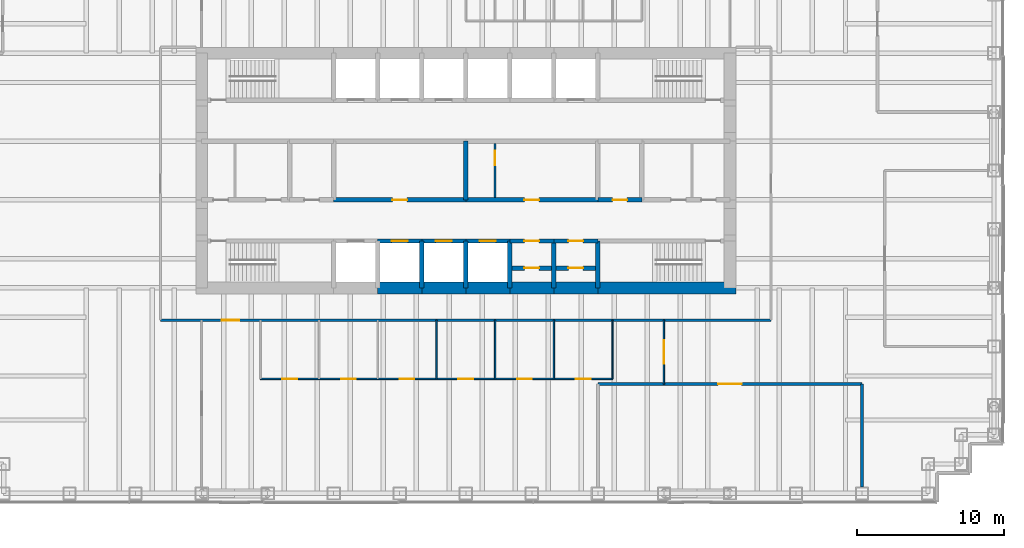
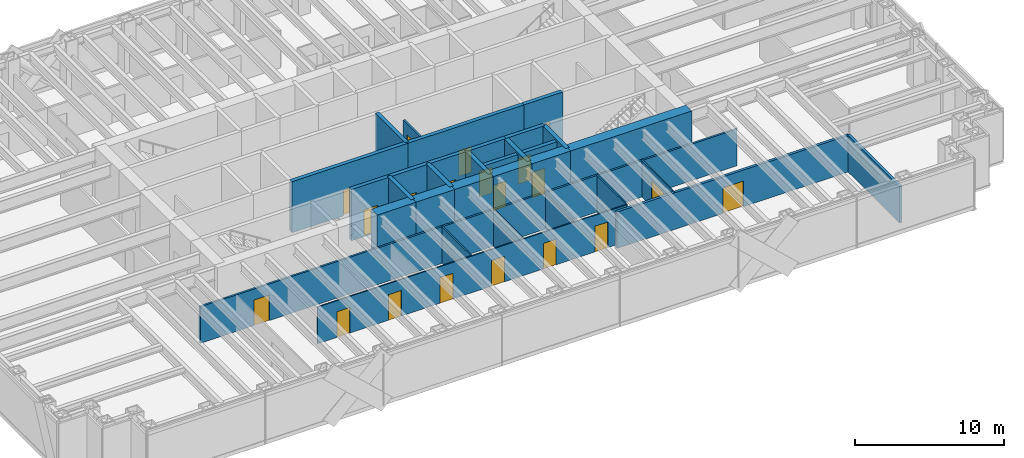
# One storey, part 11 of 15: 32 walls, 20 doors, 20 openings.
"""IFC4 building model written with IfcOpenShell, lengths in metres."""

from ifc_helpers import new_model, si_unit, direction, frame, frame_2d, origin, place, context, subcontext, project, spatial, rectangle, extrude, material, layer, layer_set, type_object, element, fill, save


model = new_model("IFC4")

# Units and contexts
model_context = context("Model", 3, precision=1e-05, world=origin(), true_north=direction((0.0, 1.0)))
body_context = subcontext(model_context, "Body", "Model", "MODEL_VIEW")
ifc_project = project(units=[si_unit("LENGTHUNIT", "METRE"), si_unit("AREAUNIT", "SQUARE_METRE"), si_unit("VOLUMEUNIT", "CUBIC_METRE"), si_unit("PLANEANGLEUNIT", "RADIAN"), si_unit("MASSUNIT", "GRAM", prefix="KILO")], contexts=[model_context])

# Site, building, storey
site_placement = place(None, origin())
site = spatial("IfcSite", under=ifc_project, at=site_placement, CompositionType="ELEMENT")
building_placement = place(site_placement, origin())
building = spatial("IfcBuilding", under=site, at=building_placement, Name="Rheinbord Bourse Tower", CompositionType="ELEMENT")
storey_placement = place(building_placement, frame((0.0, 0.0, 257.199951171875)))
storey = spatial("IfcBuildingStorey", under=building, at=storey_placement, Name="L58", CompositionType="ELEMENT", Elevation=257.199951171875)

# Wall, opening, door
ifc_material_1 = material(Name="Acoustic gypsum board partition", Category="gypsum board")
ifc_layer_1 = layer(ifc_material_1, 0.199951171875)
ifc_layer_set_1 = layer_set([ifc_layer_1], Name="ACOUSTIC PARTITION 200")
wall_type_1 = type_object("IfcWallType", Name="ACOUSTIC PARTITION 200", PredefinedType="PARTITIONING", material=ifc_layer_set_1)
wall_1_placement = place(storey_placement, frame((45.0, 9.449951171875, 0.0), z_axis=(0.0, 0.0, 1.0), x_axis=(1.0, 0.0, 0.0)))
wall_1 = element("IfcWall", 1, at=wall_1_placement, inside=storey, type_object=wall_type_1, Name="Partition L58-01", PredefinedType="PARTITIONING", context=body_context, shape_type="SweptSolid", body=[
    extrude(rectangle(XDim=18.0, YDim=0.199951171875, at=frame_2d((9.0, 0.0))), origin(), (0.0, 0.0, 1.0), 3.0),
])
opening_1_placement = place(wall_1_placement, frame((8.199951171875, 0.0, 0.0)))
opening_1 = element("IfcOpeningElement", 2, at=opening_1_placement, cuts=wall_1, Name="Opening 58D01", PredefinedType="OPENING", context=body_context, shape_type="SweptSolid", body=[
    extrude(rectangle(XDim=1.60009765625, YDim=2.10009765625, at=frame_2d((0.800048828125, 1.050048828125))), frame((0.0, 0.10986328125, 0.0), z_axis=(0.0, -1.0, 0.0), x_axis=(1.0, 0.0, 0.0)), (0.0, 0.0, 1.0), 0.219970703125),
])
ifc_material_2 = material(Name="Timber door", Category="wood")
door_type_1 = type_object("IfcDoorType", Name="DOUBLE ROOM DOOR 1600", OperationType="DOUBLE_DOOR_DOUBLE_SWING", PredefinedType="DOOR", material=ifc_material_2)
door_1_placement = place(opening_1_placement, origin())
door_1 = element("IfcDoor", 3, at=door_1_placement, inside=storey, type_object=door_type_1, Name="Project room door L58", OperationType="SINGLE_SWING_LEFT", OverallHeight=2.10009765625, OverallWidth=1.60009765625, PredefinedType="DOOR", context=body_context, shape_type="SweptSolid", body=[
    extrude(rectangle(XDim=1.60009765625, YDim=2.10009765625, at=frame_2d((0.800048828125, 1.050048828125))), frame((0.0, 0.02490234375, 0.0), z_axis=(0.0, -1.0, 0.0), x_axis=(1.0, 0.0, 0.0)), (0.0, 0.0, 1.0), 0.050048828125),
])
fill(opening_1, door_1)

# Wall
wall_2_placement = place(storey_placement, frame((63.0, 2.449951171875, 0.0), z_axis=(0.0, 0.0, 1.0), x_axis=(0.0, 1.0, 0.0)))
element("IfcWall", 4, at=wall_2_placement, inside=storey, type_object=wall_type_1, Name="Partition L58-44", PredefinedType="PARTITIONING", context=body_context, shape_type="SweptSolid", body=[
    extrude(rectangle(XDim=7.0, YDim=0.199951171875, at=frame_2d((3.5, 0.0))), origin(), (0.0, 0.0, 1.0), 3.0),
])

# Wall, opening, door
ifc_material_3 = material(Name="Concrete C50/60", Category="concrete")
ifc_layer_2 = layer(ifc_material_3, 0.300048828125)
ifc_layer_set_2 = layer_set([ifc_layer_2], Name="CORE INNER WALL 300")
wall_type_2 = type_object("IfcWallType", Name="CORE INNER WALL 300", PredefinedType="SOLIDWALL", material=ifc_layer_set_2)
wall_3_placement = place(storey_placement, frame((30.0, 19.199951171875, 0.0), z_axis=(0.0, 0.0, 1.0), x_axis=(1.0, 0.0, 0.0)))
wall_3 = element("IfcWall", 5, at=wall_3_placement, inside=storey, type_object=wall_type_2, Name="Core wall A3 L58", PredefinedType="SOLIDWALL", context=body_context, shape_type="SweptSolid", body=[
    extrude(rectangle(XDim=3.0, YDim=0.300048828125, at=frame_2d((1.5, 0.0))), origin(), (0.0, 0.0, 1.0), 4.199951171875),
])
opening_2_placement = place(wall_3_placement, frame((0.949951171875, 0.0, 0.0)))
opening_2 = element("IfcOpeningElement", 6, at=opening_2_placement, cuts=wall_3, Name="Opening PC1", PredefinedType="OPENING", context=body_context, shape_type="SweptSolid", body=[
    extrude(rectangle(XDim=1.10009765625, YDim=2.199951171875, at=frame_2d((0.550048828125, 1.10009765625))), frame((0.0, 0.159912109375, 0.0), z_axis=(0.0, -1.0, 0.0), x_axis=(1.0, 0.0, 0.0)), (0.0, 0.0, 1.0), 0.320068359375),
])
ifc_material_4 = material(Name="Steel landing door", Category="steel")
door_type_2 = type_object("IfcDoorType", Name="LIFT LANDING DOOR 1100", OperationType="DOUBLE_DOOR_SLIDING", PredefinedType="USERDEFINED", material=ifc_material_4)
door_2_placement = place(opening_2_placement, origin())
door_2 = element("IfcDoor", 7, at=door_2_placement, inside=storey, type_object=door_type_2, Name="Lift landing door PC1 L58", ObjectType="LIFT LANDING DOOR", OperationType="DOUBLE_DOOR_SLIDING", OverallHeight=2.199951171875, OverallWidth=1.10009765625, PredefinedType="USERDEFINED", context=body_context, shape_type="SweptSolid", body=[
    extrude(rectangle(XDim=1.10009765625, YDim=2.199951171875, at=frame_2d((0.550048828125, 1.10009765625))), frame((0.0, 0.02490234375, 0.0), z_axis=(0.0, -1.0, 0.0), x_axis=(1.0, 0.0, 0.0)), (0.0, 0.0, 1.0), 0.050048828125),
])
fill(opening_2, door_2)

wall_4_placement = place(storey_placement, frame((33.0, 19.199951171875, 0.0), z_axis=(0.0, 0.0, 1.0), x_axis=(1.0, 0.0, 0.0)))
wall_4 = element("IfcWall", 8, at=wall_4_placement, inside=storey, type_object=wall_type_2, Name="Core wall A4 L58", PredefinedType="SOLIDWALL", context=body_context, shape_type="SweptSolid", body=[
    extrude(rectangle(XDim=3.0, YDim=0.300048828125, at=frame_2d((1.5, 0.0))), origin(), (0.0, 0.0, 1.0), 4.199951171875),
])
opening_3_placement = place(wall_4_placement, frame((0.949951171875, 0.0, 0.0)))
opening_3 = element("IfcOpeningElement", 9, at=opening_3_placement, cuts=wall_4, Name="Opening PC2", PredefinedType="OPENING", context=body_context, shape_type="SweptSolid", body=[
    extrude(rectangle(XDim=1.10009765625, YDim=2.199951171875, at=frame_2d((0.550048828125, 1.10009765625))), frame((0.0, 0.159912109375, 0.0), z_axis=(0.0, -1.0, 0.0), x_axis=(1.0, 0.0, 0.0)), (0.0, 0.0, 1.0), 0.320068359375),
])
door_3_placement = place(opening_3_placement, origin())
door_3 = element("IfcDoor", 10, at=door_3_placement, inside=storey, type_object=door_type_2, Name="Lift landing door PC2 L58", ObjectType="LIFT LANDING DOOR", OperationType="DOUBLE_DOOR_SLIDING", OverallHeight=2.199951171875, OverallWidth=1.10009765625, PredefinedType="USERDEFINED", context=body_context, shape_type="SweptSolid", body=[
    extrude(rectangle(XDim=1.10009765625, YDim=2.199951171875, at=frame_2d((0.550048828125, 1.10009765625))), frame((0.0, 0.02490234375, 0.0), z_axis=(0.0, -1.0, 0.0), x_axis=(1.0, 0.0, 0.0)), (0.0, 0.0, 1.0), 0.050048828125),
])
fill(opening_3, door_3)

wall_5_placement = place(storey_placement, frame((36.0, 19.199951171875, 0.0), z_axis=(0.0, 0.0, 1.0), x_axis=(1.0, 0.0, 0.0)))
wall_5 = element("IfcWall", 11, at=wall_5_placement, inside=storey, type_object=wall_type_2, Name="Core wall A5 L58", PredefinedType="SOLIDWALL", context=body_context, shape_type="SweptSolid", body=[
    extrude(rectangle(XDim=3.0, YDim=0.300048828125, at=frame_2d((1.5, 0.0))), origin(), (0.0, 0.0, 1.0), 4.199951171875),
])
opening_4_placement = place(wall_5_placement, frame((0.949951171875, 0.0, 0.0)))
opening_4 = element("IfcOpeningElement", 12, at=opening_4_placement, cuts=wall_5, Name="Opening PC3", PredefinedType="OPENING", context=body_context, shape_type="SweptSolid", body=[
    extrude(rectangle(XDim=1.10009765625, YDim=2.199951171875, at=frame_2d((0.550048828125, 1.10009765625))), frame((0.0, 0.159912109375, 0.0), z_axis=(0.0, -1.0, 0.0), x_axis=(1.0, 0.0, 0.0)), (0.0, 0.0, 1.0), 0.320068359375),
])
door_4_placement = place(opening_4_placement, origin())
door_4 = element("IfcDoor", 13, at=door_4_placement, inside=storey, type_object=door_type_2, Name="Lift landing door PC3 L58", ObjectType="LIFT LANDING DOOR", OperationType="DOUBLE_DOOR_SLIDING", OverallHeight=2.199951171875, OverallWidth=1.10009765625, PredefinedType="USERDEFINED", context=body_context, shape_type="SweptSolid", body=[
    extrude(rectangle(XDim=1.10009765625, YDim=2.199951171875, at=frame_2d((0.550048828125, 1.10009765625))), frame((0.0, 0.02490234375, 0.0), z_axis=(0.0, -1.0, 0.0), x_axis=(1.0, 0.0, 0.0)), (0.0, 0.0, 1.0), 0.050048828125),
])
fill(opening_4, door_4)

wall_6_placement = place(storey_placement, frame((39.0, 19.199951171875, 0.0), z_axis=(0.0, 0.0, 1.0), x_axis=(1.0, 0.0, 0.0)))
wall_6 = element("IfcWall", 14, at=wall_6_placement, inside=storey, type_object=wall_type_2, Name="Core wall A6 L58", PredefinedType="SOLIDWALL", context=body_context, shape_type="SweptSolid", body=[
    extrude(rectangle(XDim=3.0, YDim=0.300048828125, at=frame_2d((1.5, 0.0))), origin(), (0.0, 0.0, 1.0), 4.199951171875),
])
opening_5_placement = place(wall_6_placement, frame((1.0, 0.0, 0.0)))
opening_5 = element("IfcOpeningElement", 15, at=opening_5_placement, cuts=wall_6, Name="Opening 58R8", PredefinedType="OPENING", context=body_context, shape_type="SweptSolid", body=[
    extrude(rectangle(XDim=1.0, YDim=2.10009765625, at=frame_2d((0.5, 1.050048828125))), frame((0.0, 0.159912109375, 0.0), z_axis=(0.0, -1.0, 0.0), x_axis=(1.0, 0.0, 0.0)), (0.0, 0.0, 1.0), 0.320068359375),
])
ifc_material_5 = material(Name="Steel door", Category="steel")
door_type_3 = type_object("IfcDoorType", Name="DOOR 1000 EI30", OperationType="SINGLE_SWING_LEFT", PredefinedType="DOOR", material=ifc_material_5)
door_5_placement = place(opening_5_placement, origin())
door_5 = element("IfcDoor", 16, at=door_5_placement, inside=storey, type_object=door_type_3, Name="Pantry door L58", OperationType="SINGLE_SWING_LEFT", OverallHeight=2.10009765625, OverallWidth=1.0, PredefinedType="DOOR", context=body_context, shape_type="SweptSolid", body=[
    extrude(rectangle(XDim=1.0, YDim=2.10009765625, at=frame_2d((0.5, 1.050048828125))), frame((0.0, 0.02490234375, 0.0), z_axis=(0.0, -1.0, 0.0), x_axis=(1.0, 0.0, 0.0)), (0.0, 0.0, 1.0), 0.050048828125),
])
fill(opening_5, door_5)

wall_7_placement = place(storey_placement, frame((42.0, 19.199951171875, 0.0), z_axis=(0.0, 0.0, 1.0), x_axis=(1.0, 0.0, 0.0)))
wall_7 = element("IfcWall", 17, at=wall_7_placement, inside=storey, type_object=wall_type_2, Name="Core wall A7 L58", PredefinedType="SOLIDWALL", context=body_context, shape_type="SweptSolid", body=[
    extrude(rectangle(XDim=3.0, YDim=0.300048828125, at=frame_2d((1.5, 0.0))), origin(), (0.0, 0.0, 1.0), 4.199951171875),
])
opening_6_placement = place(wall_7_placement, frame((1.0, 0.0, 0.0)))
opening_6 = element("IfcOpeningElement", 18, at=opening_6_placement, cuts=wall_7, Name="Opening 58R9", PredefinedType="OPENING", context=body_context, shape_type="SweptSolid", body=[
    extrude(rectangle(XDim=1.0, YDim=2.10009765625, at=frame_2d((0.5, 1.050048828125))), frame((0.0, 0.159912109375, 0.0), z_axis=(0.0, -1.0, 0.0), x_axis=(1.0, 0.0, 0.0)), (0.0, 0.0, 1.0), 0.320068359375),
])
door_6_placement = place(opening_6_placement, origin())
door_6 = element("IfcDoor", 19, at=door_6_placement, inside=storey, type_object=door_type_3, Name="Archive store door L58", OperationType="SINGLE_SWING_LEFT", OverallHeight=2.10009765625, OverallWidth=1.0, PredefinedType="DOOR", context=body_context, shape_type="SweptSolid", body=[
    extrude(rectangle(XDim=1.0, YDim=2.10009765625, at=frame_2d((0.5, 1.050048828125))), frame((0.0, 0.02490234375, 0.0), z_axis=(0.0, -1.0, 0.0), x_axis=(1.0, 0.0, 0.0)), (0.0, 0.0, 1.0), 0.050048828125),
])
fill(opening_6, door_6)

wall_8_placement = place(storey_placement, frame((27.0, 22.0, 0.0), z_axis=(0.0, 0.0, 1.0), x_axis=(1.0, 0.0, 0.0)))
wall_8 = element("IfcWall", 20, at=wall_8_placement, inside=storey, type_object=wall_type_2, Name="Core wall C3 L58", PredefinedType="SOLIDWALL", context=body_context, shape_type="SweptSolid", body=[
    extrude(rectangle(XDim=9.0, YDim=0.300048828125, at=frame_2d((4.5, 0.0))), origin(), (0.0, 0.0, 1.0), 4.199951171875),
])
opening_7_placement = place(wall_8_placement, frame((4.0, 0.0, 0.0)))
opening_7 = element("IfcOpeningElement", 21, at=opening_7_placement, cuts=wall_8, Name="Opening 58R3", PredefinedType="OPENING", context=body_context, shape_type="SweptSolid", body=[
    extrude(rectangle(XDim=1.0, YDim=2.10009765625, at=frame_2d((0.5, 1.050048828125))), frame((0.0, 0.159912109375, 0.0), z_axis=(0.0, -1.0, 0.0), x_axis=(1.0, 0.0, 0.0)), (0.0, 0.0, 1.0), 0.320068359375),
])
door_7_placement = place(opening_7_placement, origin())
door_7 = element("IfcDoor", 22, at=door_7_placement, inside=storey, type_object=door_type_3, Name="Riser door L58", OperationType="SINGLE_SWING_LEFT", OverallHeight=2.10009765625, OverallWidth=1.0, PredefinedType="DOOR", context=body_context, shape_type="SweptSolid", body=[
    extrude(rectangle(XDim=1.0, YDim=2.10009765625, at=frame_2d((0.5, 1.050048828125))), frame((0.0, 0.02490234375, 0.0), z_axis=(0.0, -1.0, 0.0), x_axis=(1.0, 0.0, 0.0)), (0.0, 0.0, 1.0), 0.050048828125),
])
fill(opening_7, door_7)

wall_9_placement = place(storey_placement, frame((36.0, 22.0, 0.0), z_axis=(0.0, 0.0, 1.0), x_axis=(1.0, 0.0, 0.0)))
wall_9 = element("IfcWall", 23, at=wall_9_placement, inside=storey, type_object=wall_type_2, Name="Core wall C4 L58", PredefinedType="SOLIDWALL", context=body_context, shape_type="SweptSolid", body=[
    extrude(rectangle(XDim=9.0, YDim=0.300048828125, at=frame_2d((4.5, 0.0))), origin(), (0.0, 0.0, 1.0), 4.199951171875),
])
opening_8_placement = place(wall_9_placement, frame((4.0, 0.0, 0.0)))
opening_8 = element("IfcOpeningElement", 24, at=opening_8_placement, cuts=wall_9, Name="Opening 58R4", PredefinedType="OPENING", context=body_context, shape_type="SweptSolid", body=[
    extrude(rectangle(XDim=1.0, YDim=2.10009765625, at=frame_2d((0.5, 1.050048828125))), frame((0.0, 0.159912109375, 0.0), z_axis=(0.0, -1.0, 0.0), x_axis=(1.0, 0.0, 0.0)), (0.0, 0.0, 1.0), 0.320068359375),
])
door_8_placement = place(opening_8_placement, origin())
door_8 = element("IfcDoor", 25, at=door_8_placement, inside=storey, type_object=door_type_3, Name="Staff locker room door L58", OperationType="SINGLE_SWING_LEFT", OverallHeight=2.10009765625, OverallWidth=1.0, PredefinedType="DOOR", context=body_context, shape_type="SweptSolid", body=[
    extrude(rectangle(XDim=1.0, YDim=2.10009765625, at=frame_2d((0.5, 1.050048828125))), frame((0.0, 0.02490234375, 0.0), z_axis=(0.0, -1.0, 0.0), x_axis=(1.0, 0.0, 0.0)), (0.0, 0.0, 1.0), 0.050048828125),
])
fill(opening_8, door_8)

wall_10_placement = place(storey_placement, frame((45.0, 22.0, 0.0), z_axis=(0.0, 0.0, 1.0), x_axis=(1.0, 0.0, 0.0)))
wall_10 = element("IfcWall", 26, at=wall_10_placement, inside=storey, type_object=wall_type_2, Name="Core wall C5 L58", PredefinedType="SOLIDWALL", context=body_context, shape_type="SweptSolid", body=[
    extrude(rectangle(XDim=3.0, YDim=0.300048828125, at=frame_2d((1.5, 0.0))), origin(), (0.0, 0.0, 1.0), 4.199951171875),
])
opening_9_placement = place(wall_10_placement, frame((1.0, 0.0, 0.0)))
opening_9 = element("IfcOpeningElement", 27, at=opening_9_placement, cuts=wall_10, Name="Opening 58R5", PredefinedType="OPENING", context=body_context, shape_type="SweptSolid", body=[
    extrude(rectangle(XDim=1.0, YDim=2.10009765625, at=frame_2d((0.5, 1.050048828125))), frame((0.0, 0.159912109375, 0.0), z_axis=(0.0, -1.0, 0.0), x_axis=(1.0, 0.0, 0.0)), (0.0, 0.0, 1.0), 0.320068359375),
])
ifc_material_6 = material(Name="Timber door", Category="wood")
door_type_4 = type_object("IfcDoorType", Name="DOOR 1000 WC", OperationType="SINGLE_SWING_LEFT", PredefinedType="DOOR", material=ifc_material_6)
door_9_placement = place(opening_9_placement, origin())
door_9 = element("IfcDoor", 28, at=door_9_placement, inside=storey, type_object=door_type_4, Name="Accessible WC door L58", OperationType="SINGLE_SWING_LEFT", OverallHeight=2.10009765625, OverallWidth=1.0, PredefinedType="DOOR", context=body_context, shape_type="SweptSolid", body=[
    extrude(rectangle(XDim=1.0, YDim=2.10009765625, at=frame_2d((0.5, 1.050048828125))), frame((0.0, 0.02490234375, 0.0), z_axis=(0.0, -1.0, 0.0), x_axis=(1.0, 0.0, 0.0)), (0.0, 0.0, 1.0), 0.050048828125),
])
fill(opening_9, door_9)

# Walls
for number, where, z_axis, x_axis, name in (
    (29, (33.0, 16.0, 0.0), (0.0, 0.0, 1.0), (0.0, 1.0, 0.0), "Core wall SX33 L58"),
    (30, (36.0, 16.0, 0.0), (0.0, 0.0, 1.0), (0.0, 1.0, 0.0), "Core wall SX36 L58"),
    (31, (39.0, 16.0, 0.0), (0.0, 0.0, 1.0), (0.0, 1.0, 0.0), "Core wall SX39 L58"),
    (32, (42.0, 16.0, 0.0), (0.0, 0.0, 1.0), (0.0, 1.0, 0.0), "Core wall SX42 L58"),
    (33, (45.0, 16.0, 0.0), (0.0, 0.0, 1.0), (0.0, 1.0, 0.0), "Core wall SX45 L58"),
):
    element("IfcWall", number, at=place(storey_placement, frame(where, z_axis=z_axis, x_axis=x_axis)), inside=storey, type_object=wall_type_2, Name=name, PredefinedType="SOLIDWALL", context=body_context, shape_type="SweptSolid", body=[
        extrude(rectangle(XDim=3.199951171875, YDim=0.300048828125, at=frame_2d((1.60009765625, 0.0))), origin(), (0.0, 0.0, 1.0), 4.199951171875),
    ])
wall_11_placement = place(storey_placement, frame((36.0, 22.0, 0.0), z_axis=(0.0, 0.0, 1.0), x_axis=(0.0, 1.0, 0.0)))
element("IfcWall", 34, at=wall_11_placement, inside=storey, type_object=wall_type_2, Name="Core wall MX36 L58", PredefinedType="SOLIDWALL", context=body_context, shape_type="SweptSolid", body=[
    extrude(rectangle(XDim=4.0, YDim=0.300048828125, at=frame_2d((2.0, 0.0))), origin(), (0.0, 0.0, 1.0), 4.199951171875),
])

# Wall, opening, door
wall_12_placement = place(storey_placement, frame((39.14990234375, 17.35009765625, 0.0), z_axis=(0.0, 0.0, 1.0), x_axis=(1.0, 0.0, 0.0)))
wall_12 = element("IfcWall", 35, at=wall_12_placement, inside=storey, type_object=wall_type_2, Name="Core riser wall L58-6", PredefinedType="SOLIDWALL", context=body_context, shape_type="SweptSolid", body=[
    extrude(rectangle(XDim=2.7001953125, YDim=0.300048828125, at=frame_2d((1.35009765625, 0.0))), origin(), (0.0, 0.0, 1.0), 4.0400390625),
])
opening_10_placement = place(wall_12_placement, frame((0.85009765625, 0.0, 0.0)))
opening_10 = element("IfcOpeningElement", 36, at=opening_10_placement, cuts=wall_12, Name="Opening 58R12", PredefinedType="OPENING", context=body_context, shape_type="SweptSolid", body=[
    extrude(rectangle(XDim=1.0, YDim=2.10009765625, at=frame_2d((0.5, 1.050048828125))), frame((0.0, 0.159912109375, 0.0), z_axis=(0.0, -1.0, 0.0), x_axis=(1.0, 0.0, 0.0)), (0.0, 0.0, 1.0), 0.320068359375),
])
door_10_placement = place(opening_10_placement, origin())
door_10 = element("IfcDoor", 37, at=door_10_placement, inside=storey, type_object=door_type_3, Name="Comms riser door L58", OperationType="SINGLE_SWING_LEFT", OverallHeight=2.10009765625, OverallWidth=1.0, PredefinedType="DOOR", context=body_context, shape_type="SweptSolid", body=[
    extrude(rectangle(XDim=1.0, YDim=2.10009765625, at=frame_2d((0.5, 1.050048828125))), frame((0.0, 0.02490234375, 0.0), z_axis=(0.0, -1.0, 0.0), x_axis=(1.0, 0.0, 0.0)), (0.0, 0.0, 1.0), 0.050048828125),
])
fill(opening_10, door_10)

wall_13_placement = place(storey_placement, frame((42.14990234375, 17.35009765625, 0.0), z_axis=(0.0, 0.0, 1.0), x_axis=(1.0, 0.0, 0.0)))
wall_13 = element("IfcWall", 38, at=wall_13_placement, inside=storey, type_object=wall_type_2, Name="Core riser wall L58-7", PredefinedType="SOLIDWALL", context=body_context, shape_type="SweptSolid", body=[
    extrude(rectangle(XDim=2.7001953125, YDim=0.300048828125, at=frame_2d((1.35009765625, 0.0))), origin(), (0.0, 0.0, 1.0), 4.0400390625),
])
opening_11_placement = place(wall_13_placement, frame((0.85009765625, 0.0, 0.0)))
opening_11 = element("IfcOpeningElement", 39, at=opening_11_placement, cuts=wall_13, Name="Opening 58R13", PredefinedType="OPENING", context=body_context, shape_type="SweptSolid", body=[
    extrude(rectangle(XDim=1.0, YDim=2.10009765625, at=frame_2d((0.5, 1.050048828125))), frame((0.0, 0.159912109375, 0.0), z_axis=(0.0, -1.0, 0.0), x_axis=(1.0, 0.0, 0.0)), (0.0, 0.0, 1.0), 0.320068359375),
])
door_11_placement = place(opening_11_placement, origin())
door_11 = element("IfcDoor", 40, at=door_11_placement, inside=storey, type_object=door_type_3, Name="Electrical riser door L58", OperationType="SINGLE_SWING_LEFT", OverallHeight=2.10009765625, OverallWidth=1.0, PredefinedType="DOOR", context=body_context, shape_type="SweptSolid", body=[
    extrude(rectangle(XDim=1.0, YDim=2.10009765625, at=frame_2d((0.5, 1.050048828125))), frame((0.0, 0.02490234375, 0.0), z_axis=(0.0, -1.0, 0.0), x_axis=(1.0, 0.0, 0.0)), (0.0, 0.0, 1.0), 0.050048828125),
])
fill(opening_11, door_11)

ifc_material_7 = material(Name="Gypsum board fire partition", Category="gypsum board")
ifc_layer_3 = layer(ifc_material_7, 0.14990234375)
ifc_layer_set_3 = layer_set([ifc_layer_3], Name="CORE PARTITION 150 EI30")
wall_type_3 = type_object("IfcWallType", Name="CORE PARTITION 150 EI30", PredefinedType="PARTITIONING", material=ifc_layer_set_3)
wall_14_placement = place(storey_placement, frame((38.0, 22.14990234375, 0.0), z_axis=(0.0, 0.0, 1.0), x_axis=(0.0, 1.0, 0.0)))
wall_14 = element("IfcWall", 41, at=wall_14_placement, inside=storey, type_object=wall_type_3, Name="Core partition L58-1", PredefinedType="PARTITIONING", context=body_context, shape_type="SweptSolid", body=[
    extrude(rectangle(XDim=3.7001953125, YDim=0.14990234375, at=frame_2d((1.85009765625, 0.0))), origin(), (0.0, 0.0, 1.0), 3.0),
])
opening_12_placement = place(wall_14_placement, frame((2.199951171875, 0.0, 0.0)))
opening_12 = element("IfcOpeningElement", 42, at=opening_12_placement, cuts=wall_14, Name="Opening 58R7", PredefinedType="OPENING", context=body_context, shape_type="SweptSolid", body=[
    extrude(rectangle(XDim=1.0, YDim=2.10009765625, at=frame_2d((0.5, 1.050048828125))), frame((0.0, 0.0849609375, 0.0), z_axis=(0.0, -1.0, 0.0), x_axis=(1.0, 0.0, 0.0)), (0.0, 0.0, 1.0), 0.169921875),
])
door_12_placement = place(opening_12_placement, origin())
door_12 = element("IfcDoor", 43, at=door_12_placement, inside=storey, type_object=door_type_3, Name="Staff shower door L58", OperationType="SINGLE_SWING_RIGHT", OverallHeight=2.10009765625, OverallWidth=1.0, PredefinedType="DOOR", context=body_context, shape_type="SweptSolid", body=[
    extrude(rectangle(XDim=1.0, YDim=2.10009765625, at=frame_2d((0.5, 1.050048828125))), frame((0.0, 0.02490234375, 0.0), z_axis=(0.0, -1.0, 0.0), x_axis=(1.0, 0.0, 0.0)), (0.0, 0.0, 1.0), 0.050048828125),
])
fill(opening_12, door_12)

# Walls
ifc_material_8 = material(Name="Concrete C50/60", Category="concrete")
ifc_layer_4 = layer(ifc_material_8, 0.800048828125)
ifc_layer_set_4 = layer_set([ifc_layer_4], Name="CORE WALL 800")
wall_type_4 = type_object("IfcWallType", Name="CORE WALL 800", PredefinedType="SHEAR", material=ifc_layer_set_4)
for number, where, z_axis, x_axis, name in (
    (44, (30.0, 16.0, 0.0), (0.0, 0.0, 1.0), (1.0, 0.0, 0.0), "Core wall S3 L58"),
    (45, (33.0, 16.0, 0.0), (0.0, 0.0, 1.0), (1.0, 0.0, 0.0), "Core wall S4 L58"),
    (46, (36.0, 16.0, 0.0), (0.0, 0.0, 1.0), (1.0, 0.0, 0.0), "Core wall S5 L58"),
    (47, (39.0, 16.0, 0.0), (0.0, 0.0, 1.0), (1.0, 0.0, 0.0), "Core wall S6 L58"),
    (48, (42.0, 16.0, 0.0), (0.0, 0.0, 1.0), (1.0, 0.0, 0.0), "Core wall S7 L58"),
):
    element("IfcWall", number, at=place(storey_placement, frame(where, z_axis=z_axis, x_axis=x_axis)), inside=storey, type_object=wall_type_4, Name=name, PredefinedType="SHEAR", context=body_context, shape_type="SweptSolid", body=[
        extrude(rectangle(XDim=3.0, YDim=0.800048828125, at=frame_2d((1.5, 0.0))), origin(), (0.0, 0.0, 1.0), 4.199951171875),
    ])
wall_15_placement = place(storey_placement, frame((45.0, 16.0, 0.0), z_axis=(0.0, 0.0, 1.0), x_axis=(1.0, 0.0, 0.0)))
element("IfcWall", 49, at=wall_15_placement, inside=storey, type_object=wall_type_4, Name="Core wall S8 L58", PredefinedType="SHEAR", context=body_context, shape_type="SweptSolid", body=[
    extrude(rectangle(XDim=9.39990234375, YDim=0.800048828125, at=frame_2d((4.699951171875, 0.0))), origin(), (0.0, 0.0, 1.0), 4.199951171875),
])

# Wall, opening, door
ifc_material_9 = material(Name="Gypsum board corridor partition", Category="gypsum board")
ifc_layer_5 = layer(ifc_material_9, 0.14990234375)
ifc_layer_set_5 = layer_set([ifc_layer_5], Name="CORRIDOR PARTITION 150 EI30")
wall_type_5 = type_object("IfcWallType", Name="CORRIDOR PARTITION 150 EI30", PredefinedType="PARTITIONING", material=ifc_layer_set_5)
wall_16_placement = place(storey_placement, frame((15.199951171875, 13.800048828125, 0.0), z_axis=(0.0, 0.0, 1.0), x_axis=(1.0, 0.0, 0.0)))
wall_16 = element("IfcWall", 50, at=wall_16_placement, inside=storey, type_object=wall_type_5, Name="Partition L58-04", PredefinedType="PARTITIONING", context=body_context, shape_type="SweptSolid", body=[
    extrude(rectangle(XDim=41.60009765625, YDim=0.14990234375, at=frame_2d((20.800048828125, 0.0))), origin(), (0.0, 0.0, 1.0), 3.0),
])
opening_13_placement = place(wall_16_placement, frame((4.175048828125, 0.0, 0.0)))
opening_13 = element("IfcOpeningElement", 51, at=opening_13_placement, cuts=wall_16, Name="Opening 58D29", PredefinedType="OPENING", context=body_context, shape_type="SweptSolid", body=[
    extrude(rectangle(XDim=1.199951171875, YDim=2.10009765625, at=frame_2d((0.60009765625, 1.050048828125))), frame((0.0, 0.0849609375, 0.0), z_axis=(0.0, -1.0, 0.0), x_axis=(1.0, 0.0, 0.0)), (0.0, 0.0, 1.0), 0.169921875),
])
ifc_material_10 = material(Name="Timber fire door", Category="wood")
door_type_5 = type_object("IfcDoorType", Name="SUITE ENTRANCE DOOR 1200 EI30", OperationType="SINGLE_SWING_LEFT", PredefinedType="DOOR", material=ifc_material_10)
door_13_placement = place(opening_13_placement, origin())
door_13 = element("IfcDoor", 52, at=door_13_placement, inside=storey, type_object=door_type_5, Name="Suite entrance 3 door L58", OperationType="SINGLE_SWING_LEFT", OverallHeight=2.10009765625, OverallWidth=1.199951171875, PredefinedType="DOOR", context=body_context, shape_type="SweptSolid", body=[
    extrude(rectangle(XDim=1.199951171875, YDim=2.10009765625, at=frame_2d((0.60009765625, 1.050048828125))), frame((0.0, 0.02490234375, 0.0), z_axis=(0.0, -1.0, 0.0), x_axis=(1.0, 0.0, 0.0)), (0.0, 0.0, 1.0), 0.050048828125),
])
fill(opening_13, door_13)

# Wall, openings, doors
ifc_material_11 = material(Name="Toughened laminated glass partition", Category="glass")
ifc_layer_6 = layer(ifc_material_11, 0.10009765625)
ifc_layer_set_6 = layer_set([ifc_layer_6], Name="GLAZED PARTITION 100")
wall_type_6 = type_object("IfcWallType", Name="GLAZED PARTITION 100", PredefinedType="PARTITIONING", material=ifc_layer_set_6)
wall_17_placement = place(storey_placement, frame((22.0, 9.800048828125, 0.0), z_axis=(0.0, 0.0, 1.0), x_axis=(1.0, 0.0, 0.0)))
wall_17 = element("IfcWall", 53, at=wall_17_placement, inside=storey, type_object=wall_type_6, Name="Partition L58-02", PredefinedType="PARTITIONING", context=body_context, shape_type="SweptSolid", body=[
    extrude(rectangle(XDim=24.0, YDim=0.10009765625, at=frame_2d((12.0, 0.0))), origin(), (0.0, 0.0, 1.0), 3.0),
])
opening_14_placement = place(wall_17_placement, frame((1.5, 0.0, 0.0)))
opening_14 = element("IfcOpeningElement", 54, at=opening_14_placement, cuts=wall_17, Name="Opening 58D02", PredefinedType="OPENING", context=body_context, shape_type="SweptSolid", body=[
    extrude(rectangle(XDim=1.0, YDim=2.10009765625, at=frame_2d((0.5, 1.050048828125))), frame((0.0, 0.06005859375, 0.0), z_axis=(0.0, -1.0, 0.0), x_axis=(1.0, 0.0, 0.0)), (0.0, 0.0, 1.0), 0.1201171875),
])
opening_15_placement = place(wall_17_placement, frame((5.5, 0.0, 0.0)))
opening_15 = element("IfcOpeningElement", 55, at=opening_15_placement, cuts=wall_17, Name="Opening 58D03", PredefinedType="OPENING", context=body_context, shape_type="SweptSolid", body=[
    extrude(rectangle(XDim=1.0, YDim=2.10009765625, at=frame_2d((0.5, 1.050048828125))), frame((0.0, 0.06005859375, 0.0), z_axis=(0.0, -1.0, 0.0), x_axis=(1.0, 0.0, 0.0)), (0.0, 0.0, 1.0), 0.1201171875),
])
opening_16_placement = place(wall_17_placement, frame((9.5, 0.0, 0.0)))
opening_16 = element("IfcOpeningElement", 56, at=opening_16_placement, cuts=wall_17, Name="Opening 58D04", PredefinedType="OPENING", context=body_context, shape_type="SweptSolid", body=[
    extrude(rectangle(XDim=1.0, YDim=2.10009765625, at=frame_2d((0.5, 1.050048828125))), frame((0.0, 0.06005859375, 0.0), z_axis=(0.0, -1.0, 0.0), x_axis=(1.0, 0.0, 0.0)), (0.0, 0.0, 1.0), 0.1201171875),
])
opening_17_placement = place(wall_17_placement, frame((13.5, 0.0, 0.0)))
opening_17 = element("IfcOpeningElement", 57, at=opening_17_placement, cuts=wall_17, Name="Opening 58D05", PredefinedType="OPENING", context=body_context, shape_type="SweptSolid", body=[
    extrude(rectangle(XDim=1.0, YDim=2.10009765625, at=frame_2d((0.5, 1.050048828125))), frame((0.0, 0.06005859375, 0.0), z_axis=(0.0, -1.0, 0.0), x_axis=(1.0, 0.0, 0.0)), (0.0, 0.0, 1.0), 0.1201171875),
])
opening_18_placement = place(wall_17_placement, frame((17.5, 0.0, 0.0)))
opening_18 = element("IfcOpeningElement", 58, at=opening_18_placement, cuts=wall_17, Name="Opening 58D06", PredefinedType="OPENING", context=body_context, shape_type="SweptSolid", body=[
    extrude(rectangle(XDim=1.0, YDim=2.10009765625, at=frame_2d((0.5, 1.050048828125))), frame((0.0, 0.06005859375, 0.0), z_axis=(0.0, -1.0, 0.0), x_axis=(1.0, 0.0, 0.0)), (0.0, 0.0, 1.0), 0.1201171875),
])
opening_19_placement = place(wall_17_placement, frame((21.5, 0.0, 0.0)))
opening_19 = element("IfcOpeningElement", 59, at=opening_19_placement, cuts=wall_17, Name="Opening 58D07", PredefinedType="OPENING", context=body_context, shape_type="SweptSolid", body=[
    extrude(rectangle(XDim=1.0, YDim=2.10009765625, at=frame_2d((0.5, 1.050048828125))), frame((0.0, 0.06005859375, 0.0), z_axis=(0.0, -1.0, 0.0), x_axis=(1.0, 0.0, 0.0)), (0.0, 0.0, 1.0), 0.1201171875),
])
ifc_material_12 = material(Name="Timber door", Category="wood")
door_type_6 = type_object("IfcDoorType", Name="ROOM DOOR 1000", OperationType="SINGLE_SWING_LEFT", PredefinedType="DOOR", material=ifc_material_12)
door_14_placement = place(opening_14_placement, origin())
door_14 = element("IfcDoor", 60, at=door_14_placement, inside=storey, type_object=door_type_6, Name="Project room door L58", OperationType="SINGLE_SWING_LEFT", OverallHeight=2.10009765625, OverallWidth=1.0, PredefinedType="DOOR", context=body_context, shape_type="SweptSolid", body=[
    extrude(rectangle(XDim=1.0, YDim=2.10009765625, at=frame_2d((0.5, 1.050048828125))), frame((0.0, 0.02490234375, 0.0), z_axis=(0.0, -1.0, 0.0), x_axis=(1.0, 0.0, 0.0)), (0.0, 0.0, 1.0), 0.050048828125),
])
fill(opening_14, door_14)
door_15_placement = place(opening_15_placement, origin())
door_15 = element("IfcDoor", 61, at=door_15_placement, inside=storey, type_object=door_type_6, Name="Project room door L58", OperationType="SINGLE_SWING_LEFT", OverallHeight=2.10009765625, OverallWidth=1.0, PredefinedType="DOOR", context=body_context, shape_type="SweptSolid", body=[
    extrude(rectangle(XDim=1.0, YDim=2.10009765625, at=frame_2d((0.5, 1.050048828125))), frame((0.0, 0.02490234375, 0.0), z_axis=(0.0, -1.0, 0.0), x_axis=(1.0, 0.0, 0.0)), (0.0, 0.0, 1.0), 0.050048828125),
])
fill(opening_15, door_15)
door_16_placement = place(opening_16_placement, origin())
door_16 = element("IfcDoor", 62, at=door_16_placement, inside=storey, type_object=door_type_6, Name="Project room door L58", OperationType="SINGLE_SWING_LEFT", OverallHeight=2.10009765625, OverallWidth=1.0, PredefinedType="DOOR", context=body_context, shape_type="SweptSolid", body=[
    extrude(rectangle(XDim=1.0, YDim=2.10009765625, at=frame_2d((0.5, 1.050048828125))), frame((0.0, 0.02490234375, 0.0), z_axis=(0.0, -1.0, 0.0), x_axis=(1.0, 0.0, 0.0)), (0.0, 0.0, 1.0), 0.050048828125),
])
fill(opening_16, door_16)
door_17_placement = place(opening_17_placement, origin())
door_17 = element("IfcDoor", 63, at=door_17_placement, inside=storey, type_object=door_type_6, Name="Project room door L58", OperationType="SINGLE_SWING_RIGHT", OverallHeight=2.10009765625, OverallWidth=1.0, PredefinedType="DOOR", context=body_context, shape_type="SweptSolid", body=[
    extrude(rectangle(XDim=1.0, YDim=2.10009765625, at=frame_2d((0.5, 1.050048828125))), frame((0.0, 0.02490234375, 0.0), z_axis=(0.0, -1.0, 0.0), x_axis=(1.0, 0.0, 0.0)), (0.0, 0.0, 1.0), 0.050048828125),
])
fill(opening_17, door_17)
door_18_placement = place(opening_18_placement, origin())
door_18 = element("IfcDoor", 64, at=door_18_placement, inside=storey, type_object=door_type_6, Name="Project room door L58", OperationType="SINGLE_SWING_RIGHT", OverallHeight=2.10009765625, OverallWidth=1.0, PredefinedType="DOOR", context=body_context, shape_type="SweptSolid", body=[
    extrude(rectangle(XDim=1.0, YDim=2.10009765625, at=frame_2d((0.5, 1.050048828125))), frame((0.0, 0.02490234375, 0.0), z_axis=(0.0, -1.0, 0.0), x_axis=(1.0, 0.0, 0.0)), (0.0, 0.0, 1.0), 0.050048828125),
])
fill(opening_18, door_18)
door_19_placement = place(opening_19_placement, origin())
door_19 = element("IfcDoor", 65, at=door_19_placement, inside=storey, type_object=door_type_6, Name="Project room door L58", OperationType="SINGLE_SWING_RIGHT", OverallHeight=2.10009765625, OverallWidth=1.0, PredefinedType="DOOR", context=body_context, shape_type="SweptSolid", body=[
    extrude(rectangle(XDim=1.0, YDim=2.10009765625, at=frame_2d((0.5, 1.050048828125))), frame((0.0, 0.02490234375, 0.0), z_axis=(0.0, -1.0, 0.0), x_axis=(1.0, 0.0, 0.0)), (0.0, 0.0, 1.0), 0.050048828125),
])
fill(opening_19, door_19)

# Walls
for number, where, z_axis, x_axis, name in (
    (66, (34.0, 9.800048828125, 0.0), (0.0, 0.0, 1.0), (0.0, 1.0, 0.0), "Partition L58-28"),
    (67, (38.0, 9.800048828125, 0.0), (0.0, 0.0, 1.0), (0.0, 1.0, 0.0), "Partition L58-31"),
    (68, (42.0, 9.800048828125, 0.0), (0.0, 0.0, 1.0), (0.0, 1.0, 0.0), "Partition L58-34"),
    (69, (46.0, 9.800048828125, 0.0), (0.0, 0.0, 1.0), (0.0, 1.0, 0.0), "Partition L58-38"),
):
    element("IfcWall", number, at=place(storey_placement, frame(where, z_axis=z_axis, x_axis=x_axis)), inside=storey, type_object=wall_type_6, Name=name, PredefinedType="PARTITIONING", context=body_context, shape_type="SweptSolid", body=[
        extrude(rectangle(XDim=4.0, YDim=0.10009765625, at=frame_2d((2.0, 0.0))), origin(), (0.0, 0.0, 1.0), 3.0),
    ])

# Wall, opening, door
wall_18_placement = place(storey_placement, frame((49.5, 9.449951171875, 0.0), z_axis=(0.0, 0.0, 1.0), x_axis=(0.0, 1.0, 0.0)))
wall_18 = element("IfcWall", 70, at=wall_18_placement, inside=storey, type_object=wall_type_6, Name="Partition L58-41", PredefinedType="PARTITIONING", context=body_context, shape_type="SweptSolid", body=[
    extrude(rectangle(XDim=4.35009765625, YDim=0.10009765625, at=frame_2d((2.175048828125, 0.0))), origin(), (0.0, 0.0, 1.0), 3.0),
])
opening_20_placement = place(wall_18_placement, frame((1.375, 0.0, 0.0)))
opening_20 = element("IfcOpeningElement", 71, at=opening_20_placement, cuts=wall_18, Name="Opening 58D25", PredefinedType="OPENING", context=body_context, shape_type="SweptSolid", body=[
    extrude(rectangle(XDim=1.60009765625, YDim=2.10009765625, at=frame_2d((0.800048828125, 1.050048828125))), frame((0.0, 0.06005859375, 0.0), z_axis=(0.0, -1.0, 0.0), x_axis=(1.0, 0.0, 0.0)), (0.0, 0.0, 1.0), 0.1201171875),
])
door_20_placement = place(opening_20_placement, origin())
door_20 = element("IfcDoor", 72, at=door_20_placement, inside=storey, type_object=door_type_1, Name="Open area door L58", OperationType="SINGLE_SWING_LEFT", OverallHeight=2.10009765625, OverallWidth=1.60009765625, PredefinedType="DOOR", context=body_context, shape_type="SweptSolid", body=[
    extrude(rectangle(XDim=1.60009765625, YDim=2.10009765625, at=frame_2d((0.800048828125, 1.050048828125))), frame((0.0, 0.02490234375, 0.0), z_axis=(0.0, -1.0, 0.0), x_axis=(1.0, 0.0, 0.0)), (0.0, 0.0, 1.0), 0.050048828125),
])
fill(opening_20, door_20)

save(model, "model.ifc")
